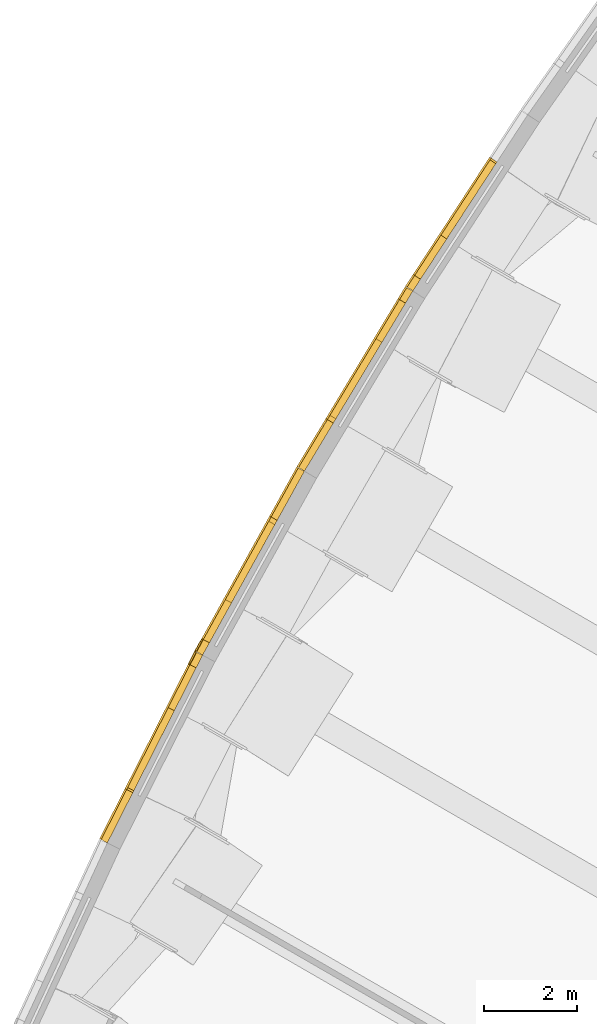
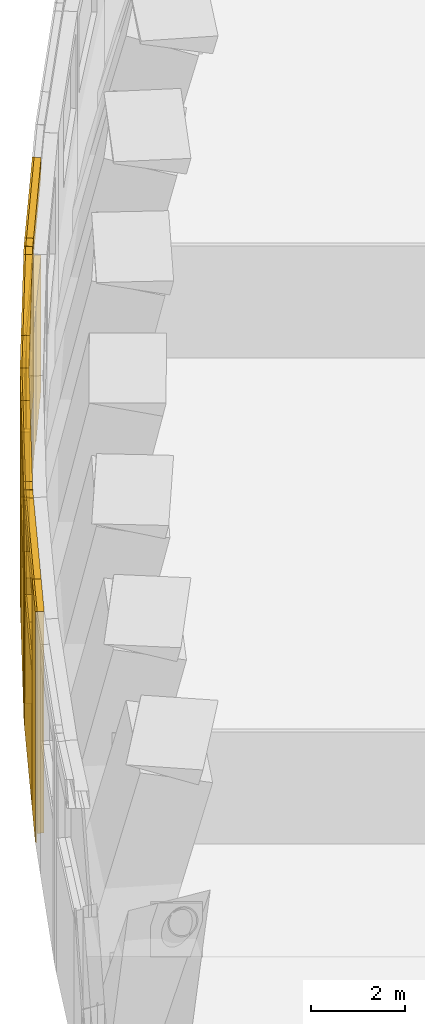
# One storey, part 16 of 25: 36 coverings.
"""IFC4 building model written with IfcOpenShell, lengths in metres."""

import ifcopenshell
import ifcopenshell.guid

model = None  # the IFC model being written
_history = None  # IfcOwnerHistory: only IFC2X3 demands one
_inside = {}  # id of a spatial element -> (the spatial element, [elements in it])
_under = {}  # id of a project, library or spatial element -> (it, [spatial elements below it])
_declared = {}  # id of a project -> (the project, [libraries it declares])
_typed = {}  # id of a type object -> (the type object, [elements of that type])
_made_of = {}  # id of a material, layer set ... -> (it, [elements and type objects made of it])


def new_model(schema):
    """Start an empty IFC model of exactly this schema.

    Asked for "IFC4X3", IfcOpenShell would pick the latest addendum, in which some entities
    have other attributes; the version numbers below select the first issue.
    IFC2X3 requires an IfcOwnerHistory on every rooted entity: one is made here for all.
    """
    global model, _history
    if schema == "IFC4X3":
        model = ifcopenshell.file(schema_version=(4, 3, 0, 0))
    else:
        model = ifcopenshell.file(schema=schema)
    _inside.clear()
    _under.clear()
    _declared.clear()
    _typed.clear()
    _made_of.clear()
    _history = None
    if model.schema == "IFC2X3":
        org = make("IfcOrganization", Name="unknown")
        user = make(
            "IfcPersonAndOrganization",
            ThePerson=make("IfcPerson", FamilyName="unknown"),
            TheOrganization=org,
        )
        app = make(
            "IfcApplication",
            ApplicationDeveloper=org,
            Version="unknown",
            ApplicationFullName="unknown",
            ApplicationIdentifier="unknown",
        )
        _history = make(
            "IfcOwnerHistory",
            OwningUser=user,
            OwningApplication=app,
            ChangeAction="ADDED",
            CreationDate=0,
        )
    return model


def make(cls, **values):
    """One entity of the class cls with the attributes given. An attribute that is None is left unset."""
    return model.create_entity(
        cls, **{name: value for name, value in values.items() if value is not None}
    )


def rooted(cls, **values):
    """An entity with a GlobalId (a new one), such as an element, a storey or a relation."""
    return make(cls, GlobalId=ifcopenshell.guid.new(), OwnerHistory=_history, **values)


def si_unit(unit_type, name, prefix=None):
    """IfcSIUnit, for example si_unit("LENGTHUNIT", "METRE", prefix="MILLI")."""
    return make("IfcSIUnit", UnitType=unit_type, Prefix=prefix, Name=name)


def assignment(units):
    """IfcUnitAssignment: the units of a project."""
    return None if units is None else make("IfcUnitAssignment", Units=units)


def point(xyz):
    """IfcCartesianPoint."""
    return None if xyz is None else make("IfcCartesianPoint", Coordinates=xyz)


def direction(xyz):
    """IfcDirection."""
    return None if xyz is None else make("IfcDirection", DirectionRatios=xyz)


def frame(location, z_axis=None, x_axis=None):
    """IfcAxis2Placement3D, a coordinate frame: its origin and axes. An axis left out is left unset."""
    return make(
        "IfcAxis2Placement3D",
        Location=point(location),
        Axis=direction(z_axis),
        RefDirection=direction(x_axis),
    )


def frame_2d(location, x_axis=None):
    """IfcAxis2Placement2D, a coordinate frame in the plane: its origin and x axis."""
    return make(
        "IfcAxis2Placement2D", Location=point(location), RefDirection=direction(x_axis)
    )


def origin():
    """The frame at (0, 0, 0) with its axes left unset."""
    return frame((0.0, 0.0, 0.0))


def origin_2d():
    """The frame at (0, 0) in the plane with its x axis left unset."""
    return frame_2d((0.0, 0.0))


def place(relative_to, where):
    """IfcLocalPlacement: puts the frame where relative to a parent placement (None: the world)."""
    return make(
        "IfcLocalPlacement", PlacementRelTo=relative_to, RelativePlacement=where
    )


def context(
    kind, dimensions, precision=None, world=None, true_north=None, identifier=None
):
    """IfcGeometricRepresentationContext, for example the 3D "Model" context."""
    return make(
        "IfcGeometricRepresentationContext",
        ContextIdentifier=identifier,
        ContextType=kind,
        CoordinateSpaceDimension=dimensions,
        Precision=precision,
        WorldCoordinateSystem=world,
        TrueNorth=true_north,
    )


def subcontext(parent, identifier, kind, view, scale=None):
    """IfcGeometricRepresentationSubContext, for example "Body" below "Model"."""
    return make(
        "IfcGeometricRepresentationSubContext",
        ContextIdentifier=identifier,
        ContextType=kind,
        ParentContext=parent,
        TargetScale=scale,
        TargetView=view,
    )


def project(units=None, contexts=None):
    """IfcProject with its units and contexts."""
    return rooted(
        "IfcProject",
        Name="project",
        RepresentationContexts=contexts,
        UnitsInContext=assignment(units),
    )


def spatial(cls, under=None, at=None, **own):
    """A site, building, storey or space (cls), placed at a placement, below another one or the project."""
    s = rooted(cls, ObjectPlacement=at, **own)
    if under is not None:
        _under.setdefault(under.id(), (under, []))[1].append(s)
    return s


def profile(cls, at=None, kind="AREA", **sizes):
    """A parametric profile (cls). Its sizes go by their IFC names, for example OverallWidth=200.0."""
    return make(cls, ProfileType=kind, Position=at, **sizes)


def rectangle(**sizes):
    """IfcRectangleProfileDef."""
    return profile("IfcRectangleProfileDef", **sizes)


def extrude(swept, where, along, depth):
    """IfcExtrudedAreaSolid: the profile swept, set in the frame where, extruded along a direction by depth."""
    return make(
        "IfcExtrudedAreaSolid",
        SweptArea=swept,
        Position=where,
        ExtrudedDirection=direction(along),
        Depth=depth,
    )


def shape(context_of_items, identifier, shape_type, items):
    """IfcShapeRepresentation: the items that make up one representation, for example the "Body"."""
    return make(
        "IfcShapeRepresentation",
        ContextOfItems=context_of_items,
        RepresentationIdentifier=identifier,
        RepresentationType=shape_type,
        Items=items,
    )


def material(Name=None, Category=None):
    """IfcMaterial."""
    return make("IfcMaterial", Name=Name, Category=Category)


def layer(
    of_material, thickness, ventilated=None, Name=None, Category=None, Priority=None
):
    """IfcMaterialLayer: one layer of a wall or slab, of a material (None: an air gap)."""
    return make(
        "IfcMaterialLayer",
        Material=of_material,
        LayerThickness=thickness,
        IsVentilated=ventilated,
        Name=Name,
        Category=Category,
        Priority=Priority,
    )


def layer_set(layers, Name=None):
    """IfcMaterialLayerSet."""
    return make("IfcMaterialLayerSet", MaterialLayers=layers, LayerSetName=Name)


def made_of(thing, what):
    """Note that an element or type object is made of a material, layer set ...; save() writes the relation."""
    if what is not None:
        _made_of.setdefault(what.id(), (what, []))[1].append(thing)
    return thing


def type_object(cls, material=None, **own):
    """A type object (cls), such as IfcWallType, which elements share."""
    return made_of(rooted(cls, **own), material)


def element(
    cls,
    number,
    at=None,
    inside=None,
    cuts=None,
    type_object=None,
    material=None,
    context=None,
    identifier="Body",
    shape_type=None,
    held_by="IfcProductDefinitionShape",
    body=None,
    shapes=None,
    **own,
):
    """One element of the class cls, such as IfcWall. Its Tag is "e" and its number.

    at: its placement. inside: the storey or other place that contains it. cuts: it is an
    opening in that element (IfcRelVoidsElement). A single representation is given by context,
    identifier, shape_type and body (its items); several are given by shapes. held_by: the class
    of the entity that holds the representations. save() writes the other relations.
    """
    e = rooted(cls, Tag="e%d" % number, ObjectPlacement=at, **own)
    if body is not None:
        shapes = [shape(context, identifier, shape_type, body)]
    if shapes is not None:
        e.Representation = make(held_by, Representations=shapes)
    if inside is not None:
        _inside.setdefault(inside.id(), (inside, []))[1].append(e)
    if cuts is not None:
        rooted(
            "IfcRelVoidsElement", RelatingBuildingElement=cuts, RelatedOpeningElement=e
        )
    if type_object is not None:
        _typed.setdefault(type_object.id(), (type_object, []))[1].append(e)
    return made_of(e, material)


def aggregate(whole, parts):
    """IfcRelAggregates: a whole, such as a stair, and the parts it consists of."""
    return rooted("IfcRelAggregates", RelatingObject=whole, RelatedObjects=parts)


def save(model, path):
    """Write the relations noted so far, then the file.

    IfcRelAggregates (storeys below a building ...), IfcRelContainedInSpatialStructure (elements
    in a storey), IfcRelDefinesByType, IfcRelAssociatesMaterial and IfcRelDeclares: one each for
    every whole, place, type object, material and project.
    """
    for whole, parts in _under.values():
        aggregate(whole, parts)
    for where, things in _inside.values():
        rooted(
            "IfcRelContainedInSpatialStructure",
            RelatedElements=things,
            RelatingStructure=where,
        )
    for kind, things in _typed.values():
        rooted("IfcRelDefinesByType", RelatedObjects=things, RelatingType=kind)
    for what, things in _made_of.values():
        rooted("IfcRelAssociatesMaterial", RelatedObjects=things, RelatingMaterial=what)
    for by, libraries in _declared.values():
        rooted("IfcRelDeclares", RelatingContext=by, RelatedDefinitions=libraries)
    model.write(path)


model = new_model("IFC4")

# Units and contexts
model_context = context("Model", 3, precision=1e-05, world=origin(), true_north=direction((0.0, 1.0)))
body_context = subcontext(model_context, "Body", "Model", "MODEL_VIEW")
ifc_project = project(units=[si_unit("LENGTHUNIT", "METRE"), si_unit("AREAUNIT", "SQUARE_METRE"), si_unit("VOLUMEUNIT", "CUBIC_METRE"), si_unit("PLANEANGLEUNIT", "RADIAN"), si_unit("MASSUNIT", "GRAM", prefix="KILO")], contexts=[model_context])

# Site, building, storey
site_placement = place(None, origin())
site = spatial("IfcSite", under=ifc_project, at=site_placement, CompositionType="ELEMENT")
building_placement = place(site_placement, origin())
building = spatial("IfcBuilding", under=site, at=building_placement, Name="Trefoil Bronze Tower", CompositionType="ELEMENT")
storey_placement = place(building_placement, frame((0.0, 0.0, 178.699951171875)))
storey = spatial("IfcBuildingStorey", under=building, at=storey_placement, Name="L41", CompositionType="ELEMENT", Elevation=178.699951171875)

# Coverings
ifc_material_1 = material(Name="Bronze-finish aluminium rainscreen panel on aluminium rails", Category="aluminium")
ifc_layer_1 = layer(ifc_material_1, 0.0400390625)
ifc_layer_set_1 = layer_set([ifc_layer_1], Name="Bronze cladding panel 40")
covering_type_1 = type_object("IfcCoveringType", Name="Bronze cladding panel 40", PredefinedType="CLADDING", material=ifc_layer_set_1)
covering_1_placement = place(storey_placement, frame((-20.64208984375, 17.306884765625, 0.0), z_axis=(0.0, 0.0, 1.0), x_axis=(-0.546088612179, -0.837727418465, 0.0)))
element("IfcCovering", 1, at=covering_1_placement, inside=storey, type_object=covering_type_1, Name="Cladding panel L41 Face 3.6 piece 2", PredefinedType="CLADDING", context=body_context, shape_type="SweptSolid", body=[
    extrude(rectangle(XDim=0.300048828125, YDim=0.0400390625, at=origin_2d()), origin(), (0.0, 0.0, 1.0), 6.0),
])
covering_2_placement = place(storey_placement, frame((-19.740966796875, 18.68896484375, 0.0), z_axis=(0.0, 0.0, 1.0), x_axis=(-0.546088612179, -0.837727418465, 0.0)))
element("IfcCovering", 2, at=covering_2_placement, inside=storey, type_object=covering_type_1, Name="Cladding panel L41 Face 3.6 piece 3", PredefinedType="CLADDING", context=body_context, shape_type="SweptSolid", body=[
    extrude(rectangle(XDim=3.0, YDim=0.0400390625, at=origin_2d()), origin(), (0.0, 0.0, 1.0), 3.5),
])
covering_3_placement = place(storey_placement, frame((-19.740966796875, 18.68896484375, 5.5), z_axis=(0.0, 0.0, 1.0), x_axis=(-0.546088612179, -0.837727418465, 0.0)))
element("IfcCovering", 3, at=covering_3_placement, inside=storey, type_object=covering_type_1, Name="Cladding panel L41 Face 3.6 piece 4", PredefinedType="CLADDING", context=body_context, shape_type="SweptSolid", body=[
    extrude(rectangle(XDim=3.0, YDim=0.0400390625, at=origin_2d()), origin(), (0.0, 0.0, 1.0), 0.5),
])
covering_4_placement = place(storey_placement, frame((-20.807373046875, 17.042724609375, 0.0), z_axis=(0.0, 0.0, 1.0), x_axis=(-0.515525413546, -0.85687428949, 0.0)))
element("IfcCovering", 4, at=covering_4_placement, inside=storey, type_object=covering_type_1, Name="Cladding panel L41 Face 3.7 piece 1", PredefinedType="CLADDING", context=body_context, shape_type="SweptSolid", body=[
    extrude(rectangle(XDim=0.300048828125, YDim=0.0400390625, at=origin_2d()), origin(), (0.0, 0.0, 1.0), 6.0),
])
covering_5_placement = place(storey_placement, frame((-22.740966796875, 13.829345703125, 0.0), z_axis=(0.0, 0.0, 1.0), x_axis=(-0.515525413546, -0.85687428949, 0.0)))
element("IfcCovering", 5, at=covering_5_placement, inside=storey, type_object=covering_type_1, Name="Cladding panel L41 Face 3.7 piece 2", PredefinedType="CLADDING", context=body_context, shape_type="SweptSolid", body=[
    extrude(rectangle(XDim=1.20068359375, YDim=0.0400390625, at=origin_2d()), origin(), (0.0, 0.0, 1.0), 6.0),
])
covering_6_placement = place(storey_placement, frame((-21.658203125, 15.62890625, 0.0), z_axis=(0.0, 0.0, 1.0), x_axis=(-0.515525413546, -0.85687428949, 0.0)))
element("IfcCovering", 6, at=covering_6_placement, inside=storey, type_object=covering_type_1, Name="Cladding panel L41 Face 3.7 piece 3", PredefinedType="CLADDING", context=body_context, shape_type="SweptSolid", body=[
    extrude(rectangle(XDim=3.0, YDim=0.0400390625, at=origin_2d()), origin(), (0.0, 0.0, 1.0), 3.5),
])
covering_7_placement = place(storey_placement, frame((-21.658203125, 15.62890625, 5.5), z_axis=(0.0, 0.0, 1.0), x_axis=(-0.515525413546, -0.85687428949, 0.0)))
element("IfcCovering", 7, at=covering_7_placement, inside=storey, type_object=covering_type_1, Name="Cladding panel L41 Face 3.7 piece 4", PredefinedType="CLADDING", context=body_context, shape_type="SweptSolid", body=[
    extrude(rectangle(XDim=3.0, YDim=0.0400390625, at=origin_2d()), origin(), (0.0, 0.0, 1.0), 0.5),
])
covering_8_placement = place(storey_placement, frame((-23.346923828125, 12.779541015625, 0.0), z_axis=(0.0, 0.0, 1.0), x_axis=(-0.484312195683, -0.874895249223, 0.0)))
element("IfcCovering", 8, at=covering_8_placement, inside=storey, type_object=covering_type_1, Name="Cladding panel L41 Face 3.8 piece 1", PredefinedType="CLADDING", context=body_context, shape_type="SweptSolid", body=[
    extrude(rectangle(XDim=1.20068359375, YDim=0.0400390625, at=origin_2d()), origin(), (0.0, 0.0, 1.0), 6.0),
])
covering_9_placement = place(storey_placement, frame((-25.163330078125, 9.498291015625, 0.0), z_axis=(0.0, 0.0, 1.0), x_axis=(-0.484312195683, -0.874895249223, 0.0)))
element("IfcCovering", 9, at=covering_9_placement, inside=storey, type_object=covering_type_1, Name="Cladding panel L41 Face 3.8 piece 2", PredefinedType="CLADDING", context=body_context, shape_type="SweptSolid", body=[
    extrude(rectangle(XDim=0.300048828125, YDim=0.0400390625, at=origin_2d()), origin(), (0.0, 0.0, 1.0), 6.0),
])
covering_10_placement = place(storey_placement, frame((-24.3642578125, 10.94189453125, 0.0), z_axis=(0.0, 0.0, 1.0), x_axis=(-0.484312195683, -0.874895249223, 0.0)))
element("IfcCovering", 10, at=covering_10_placement, inside=storey, type_object=covering_type_1, Name="Cladding panel L41 Face 3.8 piece 3", PredefinedType="CLADDING", context=body_context, shape_type="SweptSolid", body=[
    extrude(rectangle(XDim=3.0, YDim=0.0400390625, at=origin_2d()), origin(), (0.0, 0.0, 1.0), 3.5),
])
covering_11_placement = place(storey_placement, frame((-24.3642578125, 10.94189453125, 5.5), z_axis=(0.0, 0.0, 1.0), x_axis=(-0.484312195683, -0.874895249223, 0.0)))
element("IfcCovering", 11, at=covering_11_placement, inside=storey, type_object=covering_type_1, Name="Cladding panel L41 Face 3.8 piece 4", PredefinedType="CLADDING", context=body_context, shape_type="SweptSolid", body=[
    extrude(rectangle(XDim=3.0, YDim=0.0400390625, at=origin_2d()), origin(), (0.0, 0.0, 1.0), 0.5),
])
covering_12_placement = place(storey_placement, frame((-25.30908203125, 9.22314453125, 0.0), z_axis=(0.0, 0.0, 1.0), x_axis=(-0.452448919873, -0.891790320034, 0.0)))
element("IfcCovering", 12, at=covering_12_placement, inside=storey, type_object=covering_type_1, Name="Cladding panel L41 Face 3.9 piece 1", PredefinedType="CLADDING", context=body_context, shape_type="SweptSolid", body=[
    extrude(rectangle(XDim=0.300048828125, YDim=0.0400390625, at=origin_2d()), origin(), (0.0, 0.0, 1.0), 6.0),
])
covering_13_placement = place(storey_placement, frame((-27.00732421875, 5.8759765625, 0.0), z_axis=(0.0, 0.0, 1.0), x_axis=(-0.452448919873, -0.891790320034, 0.0)))
element("IfcCovering", 13, at=covering_13_placement, inside=storey, type_object=covering_type_1, Name="Cladding panel L41 Face 3.9 piece 2", PredefinedType="CLADDING", context=body_context, shape_type="SweptSolid", body=[
    extrude(rectangle(XDim=1.20654296875, YDim=0.0400390625, at=origin_2d()), origin(), (0.0, 0.0, 1.0), 6.0),
])
covering_14_placement = place(storey_placement, frame((-26.0556640625, 7.751708984375, 0.0), z_axis=(0.0, 0.0, 1.0), x_axis=(-0.452448919873, -0.891790320034, 0.0)))
element("IfcCovering", 14, at=covering_14_placement, inside=storey, type_object=covering_type_1, Name="Cladding panel L41 Face 3.9 piece 3", PredefinedType="CLADDING", context=body_context, shape_type="SweptSolid", body=[
    extrude(rectangle(XDim=3.0, YDim=0.0400390625, at=origin_2d()), origin(), (0.0, 0.0, 1.0), 3.5),
])
covering_15_placement = place(storey_placement, frame((-26.0556640625, 7.751708984375, 5.5), z_axis=(0.0, 0.0, 1.0), x_axis=(-0.452448919873, -0.891790320034, 0.0)))
element("IfcCovering", 15, at=covering_15_placement, inside=storey, type_object=covering_type_1, Name="Cladding panel L41 Face 3.9 piece 4", PredefinedType="CLADDING", context=body_context, shape_type="SweptSolid", body=[
    extrude(rectangle(XDim=3.0, YDim=0.0400390625, at=origin_2d()), origin(), (0.0, 0.0, 1.0), 0.5),
])
ifc_material_2 = material(Name="Non-combustible mineral wool slab", Category="insulation")
ifc_layer_2 = layer(ifc_material_2, 0.14990234375)
ifc_layer_set_2 = layer_set([ifc_layer_2], Name="Rainscreen insulation 150")
covering_type_2 = type_object("IfcCoveringType", Name="Rainscreen insulation 150", PredefinedType="INSULATION", material=ifc_layer_set_2)
covering_16_placement = place(storey_placement, frame((-20.5625, 17.2548828125, 0.10986328125), z_axis=(0.0, 0.0, 1.0), x_axis=(-0.546088612179, -0.837727418465, 0.0)))
element("IfcCovering", 16, at=covering_16_placement, inside=storey, type_object=covering_type_2, Name="Insulation L41 Face 3.6 piece 2", PredefinedType="INSULATION", context=body_context, shape_type="SweptSolid", body=[
    extrude(rectangle(XDim=0.300048828125, YDim=0.14990234375, at=origin_2d()), origin(), (0.0, 0.0, 1.0), 5.889892578125),
])
covering_17_placement = place(storey_placement, frame((-19.392578125, 19.0498046875, 0.0), z_axis=(0.0, 0.0, 1.0), x_axis=(-0.546088612179, -0.837727418465, 0.0)))
element("IfcCovering", 17, at=covering_17_placement, inside=storey, type_object=covering_type_2, Name="Insulation L41 Face 3.6 piece 3", PredefinedType="INSULATION", context=body_context, shape_type="SweptSolid", body=[
    extrude(rectangle(XDim=1.925048828125, YDim=0.14990234375, at=origin_2d()), origin(), (0.0, 0.0, 1.0), 3.5),
])
covering_18_placement = place(storey_placement, frame((-20.199462890625, 17.81201171875, 0.17529296875), z_axis=(0.0, 0.0, 1.0), x_axis=(-0.546088612179, -0.837727418465, 0.0)))
element("IfcCovering", 18, at=covering_18_placement, inside=storey, type_object=covering_type_2, Name="Insulation L41 Face 3.6 piece 3 part 2", PredefinedType="INSULATION", context=body_context, shape_type="SweptSolid", body=[
    extrude(rectangle(XDim=1.030029296875, YDim=0.14990234375, at=origin_2d()), origin(), (0.0, 0.0, 1.0), 3.324951171875),
])
covering_19_placement = place(storey_placement, frame((-19.661376953125, 18.63720703125, 5.5), z_axis=(0.0, 0.0, 1.0), x_axis=(-0.546088612179, -0.837727418465, 0.0)))
element("IfcCovering", 19, at=covering_19_placement, inside=storey, type_object=covering_type_2, Name="Insulation L41 Face 3.6 piece 4", PredefinedType="INSULATION", context=body_context, shape_type="SweptSolid", body=[
    extrude(rectangle(XDim=3.0, YDim=0.14990234375, at=origin_2d()), origin(), (0.0, 0.0, 1.0), 0.5),
])
covering_20_placement = place(storey_placement, frame((-20.72607421875, 16.993896484375, 0.125), z_axis=(0.0, 0.0, 1.0), x_axis=(-0.515525413546, -0.85687428949, 0.0)))
element("IfcCovering", 20, at=covering_20_placement, inside=storey, type_object=covering_type_2, Name="Insulation L41 Face 3.7 piece 1", PredefinedType="INSULATION", context=body_context, shape_type="SweptSolid", body=[
    extrude(rectangle(XDim=0.300048828125, YDim=0.14990234375, at=origin_2d()), origin(), (0.0, 0.0, 1.0), 5.875),
])
covering_21_placement = place(storey_placement, frame((-22.659423828125, 13.7802734375, 0.1953125), z_axis=(0.0, 0.0, 1.0), x_axis=(-0.515525413546, -0.85687428949, 0.0)))
element("IfcCovering", 21, at=covering_21_placement, inside=storey, type_object=covering_type_2, Name="Insulation L41 Face 3.7 piece 2", PredefinedType="INSULATION", context=body_context, shape_type="SweptSolid", body=[
    extrude(rectangle(XDim=1.20068359375, YDim=0.14990234375, at=origin_2d()), origin(), (0.0, 0.0, 1.0), 5.804931640625),
])
covering_22_placement = place(storey_placement, frame((-21.055908203125, 16.445556640625, 0.22509765625), z_axis=(0.0, 0.0, 1.0), x_axis=(-0.515525413546, -0.85687428949, 0.0)))
element("IfcCovering", 22, at=covering_22_placement, inside=storey, type_object=covering_type_2, Name="Insulation L41 Face 3.7 piece 3", PredefinedType="INSULATION", context=body_context, shape_type="SweptSolid", body=[
    extrude(rectangle(XDim=0.97998046875, YDim=0.14990234375, at=origin_2d()), origin(), (0.0, 0.0, 1.0), 3.27490234375),
])
covering_23_placement = place(storey_placement, frame((-21.80224609375, 15.205078125, 0.0), z_axis=(0.0, 0.0, 1.0), x_axis=(-0.515525413546, -0.85687428949, 0.0)))
element("IfcCovering", 23, at=covering_23_placement, inside=storey, type_object=covering_type_2, Name="Insulation L41 Face 3.7 piece 3 part 2", PredefinedType="INSULATION", context=body_context, shape_type="SweptSolid", body=[
    extrude(rectangle(XDim=1.9150390625, YDim=0.14990234375, at=origin_2d()), origin(), (0.0, 0.0, 1.0), 3.5),
])
covering_24_placement = place(storey_placement, frame((-22.322998046875, 14.339599609375, 0.2001953125), z_axis=(0.0, 0.0, 1.0), x_axis=(-0.515525413546, -0.85687428949, 0.0)))
element("IfcCovering", 24, at=covering_24_placement, inside=storey, type_object=covering_type_2, Name="Insulation L41 Face 3.7 piece 3 part 3", PredefinedType="INSULATION", context=body_context, shape_type="SweptSolid", body=[
    extrude(rectangle(XDim=0.10498046875, YDim=0.14990234375, at=origin_2d()), origin(), (0.0, 0.0, 1.0), 3.300048828125),
])
covering_25_placement = place(storey_placement, frame((-21.57666015625, 15.580078125, 5.5), z_axis=(0.0, 0.0, 1.0), x_axis=(-0.515525413546, -0.85687428949, 0.0)))
element("IfcCovering", 25, at=covering_25_placement, inside=storey, type_object=covering_type_2, Name="Insulation L41 Face 3.7 piece 4", PredefinedType="INSULATION", context=body_context, shape_type="SweptSolid", body=[
    extrude(rectangle(XDim=3.0, YDim=0.14990234375, at=origin_2d()), origin(), (0.0, 0.0, 1.0), 0.5),
])
covering_26_placement = place(storey_placement, frame((-23.263916015625, 12.733642578125, 0.1953125), z_axis=(0.0, 0.0, 1.0), x_axis=(-0.484312195683, -0.874895249223, 0.0)))
element("IfcCovering", 26, at=covering_26_placement, inside=storey, type_object=covering_type_2, Name="Insulation L41 Face 3.8 piece 1", PredefinedType="INSULATION", context=body_context, shape_type="SweptSolid", body=[
    extrude(rectangle(XDim=1.20068359375, YDim=0.14990234375, at=origin_2d()), origin(), (0.0, 0.0, 1.0), 5.804931640625),
])
covering_27_placement = place(storey_placement, frame((-25.080078125, 9.452392578125, 0.125), z_axis=(0.0, 0.0, 1.0), x_axis=(-0.484312195683, -0.874895249223, 0.0)))
element("IfcCovering", 27, at=covering_27_placement, inside=storey, type_object=covering_type_2, Name="Insulation L41 Face 3.8 piece 2", PredefinedType="INSULATION", context=body_context, shape_type="SweptSolid", body=[
    extrude(rectangle(XDim=0.300048828125, YDim=0.14990234375, at=origin_2d()), origin(), (0.0, 0.0, 1.0), 5.875),
])
covering_28_placement = place(storey_placement, frame((-23.580078125, 12.162353515625, 0.2001953125), z_axis=(0.0, 0.0, 1.0), x_axis=(-0.484312195683, -0.874895249223, 0.0)))
element("IfcCovering", 28, at=covering_28_placement, inside=storey, type_object=covering_type_2, Name="Insulation L41 Face 3.8 piece 3", PredefinedType="INSULATION", context=body_context, shape_type="SweptSolid", body=[
    extrude(rectangle(XDim=0.10498046875, YDim=0.14990234375, at=origin_2d()), origin(), (0.0, 0.0, 1.0), 3.300048828125),
])
covering_29_placement = place(storey_placement, frame((-24.069580078125, 11.278076171875, 0.0), z_axis=(0.0, 0.0, 1.0), x_axis=(-0.484312195683, -0.874895249223, 0.0)))
element("IfcCovering", 29, at=covering_29_placement, inside=storey, type_object=covering_type_2, Name="Insulation L41 Face 3.8 piece 3 part 2", PredefinedType="INSULATION", context=body_context, shape_type="SweptSolid", body=[
    extrude(rectangle(XDim=1.916748046875, YDim=0.14990234375, at=origin_2d()), origin(), (0.0, 0.0, 1.0), 3.5),
])
covering_30_placement = place(storey_placement, frame((-24.7705078125, 10.011474609375, 0.22509765625), z_axis=(0.0, 0.0, 1.0), x_axis=(-0.484312195683, -0.874895249223, 0.0)))
element("IfcCovering", 30, at=covering_30_placement, inside=storey, type_object=covering_type_2, Name="Insulation L41 Face 3.8 piece 3 part 3", PredefinedType="INSULATION", context=body_context, shape_type="SweptSolid", body=[
    extrude(rectangle(XDim=0.978271484375, YDim=0.14990234375, at=origin_2d()), origin(), (0.0, 0.0, 1.0), 3.27490234375),
])
covering_31_placement = place(storey_placement, frame((-24.281005859375, 10.89599609375, 5.5), z_axis=(0.0, 0.0, 1.0), x_axis=(-0.484312195683, -0.874895249223, 0.0)))
element("IfcCovering", 31, at=covering_31_placement, inside=storey, type_object=covering_type_2, Name="Insulation L41 Face 3.8 piece 4", PredefinedType="INSULATION", context=body_context, shape_type="SweptSolid", body=[
    extrude(rectangle(XDim=3.0, YDim=0.14990234375, at=origin_2d()), origin(), (0.0, 0.0, 1.0), 0.5),
])
covering_32_placement = place(storey_placement, frame((-25.224365234375, 9.18017578125, 0.10986328125), z_axis=(0.0, 0.0, 1.0), x_axis=(-0.452448919873, -0.891790320034, 0.0)))
element("IfcCovering", 32, at=covering_32_placement, inside=storey, type_object=covering_type_2, Name="Insulation L41 Face 3.9 piece 1", PredefinedType="INSULATION", context=body_context, shape_type="SweptSolid", body=[
    extrude(rectangle(XDim=0.300048828125, YDim=0.14990234375, at=origin_2d()), origin(), (0.0, 0.0, 1.0), 5.889892578125),
])
covering_33_placement = place(storey_placement, frame((-26.922607421875, 5.8330078125, 0.2451171875), z_axis=(0.0, 0.0, 1.0), x_axis=(-0.452448919873, -0.891790320034, 0.0)))
element("IfcCovering", 33, at=covering_33_placement, inside=storey, type_object=covering_type_2, Name="Insulation L41 Face 3.9 piece 2", PredefinedType="INSULATION", context=body_context, shape_type="SweptSolid", body=[
    extrude(rectangle(XDim=1.20654296875, YDim=0.14990234375, at=origin_2d()), origin(), (0.0, 0.0, 1.0), 5.7548828125),
])
covering_34_placement = place(storey_placement, frame((-25.525390625, 8.587158203125, 0.17529296875), z_axis=(0.0, 0.0, 1.0), x_axis=(-0.452448919873, -0.891790320034, 0.0)))
element("IfcCovering", 34, at=covering_34_placement, inside=storey, type_object=covering_type_2, Name="Insulation L41 Face 3.9 piece 3", PredefinedType="INSULATION", context=body_context, shape_type="SweptSolid", body=[
    extrude(rectangle(XDim=1.030029296875, YDim=0.14990234375, at=origin_2d()), origin(), (0.0, 0.0, 1.0), 3.324951171875),
])
covering_35_placement = place(storey_placement, frame((-26.19384765625, 7.26953125, 0.0), z_axis=(0.0, 0.0, 1.0), x_axis=(-0.452448919873, -0.891790320034, 0.0)))
element("IfcCovering", 35, at=covering_35_placement, inside=storey, type_object=covering_type_2, Name="Insulation L41 Face 3.9 piece 3 part 2", PredefinedType="INSULATION", context=body_context, shape_type="SweptSolid", body=[
    extrude(rectangle(XDim=1.925048828125, YDim=0.14990234375, at=origin_2d()), origin(), (0.0, 0.0, 1.0), 3.5),
])
covering_36_placement = place(storey_placement, frame((-25.970947265625, 7.708740234375, 5.5), z_axis=(0.0, 0.0, 1.0), x_axis=(-0.452448919873, -0.891790320034, 0.0)))
element("IfcCovering", 36, at=covering_36_placement, inside=storey, type_object=covering_type_2, Name="Insulation L41 Face 3.9 piece 4", PredefinedType="INSULATION", context=body_context, shape_type="SweptSolid", body=[
    extrude(rectangle(XDim=3.0, YDim=0.14990234375, at=origin_2d()), origin(), (0.0, 0.0, 1.0), 0.5),
])

save(model, "model.ifc")
